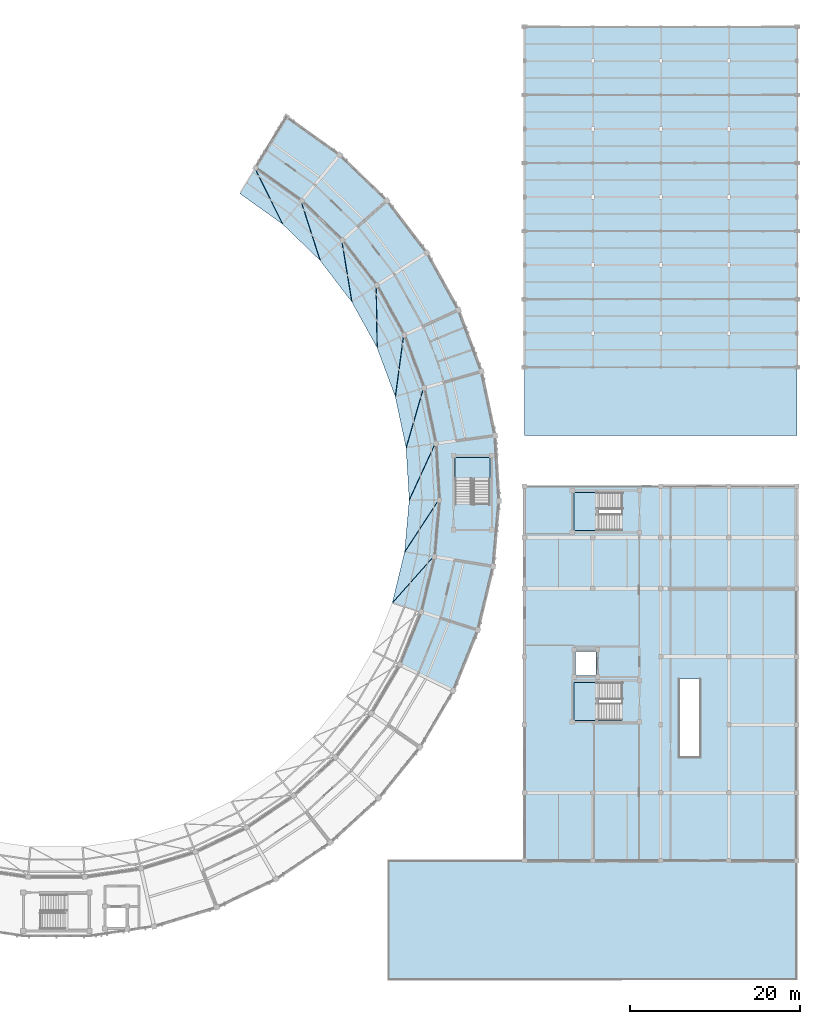
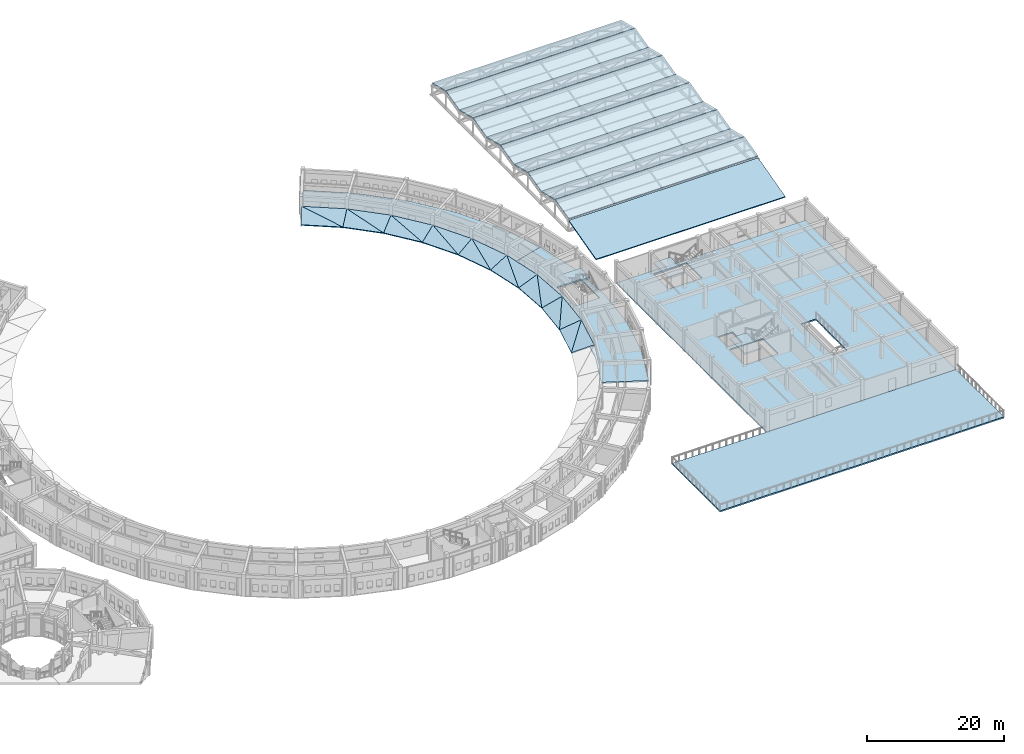
# One storey, part 71 of 112: 36 slabs, 3 elements without a shape of their own.
"""IFC4 building model written with IfcOpenShell, lengths in metres."""

from ifc_helpers import new_model, si_unit, direction, frame, origin, place, context, subcontext, project, spatial, polyline, outline, extrude, material, layer, layer_set, type_object, element, aggregate, save


model = new_model("IFC4")

# Units and contexts
model_context = context("Model", 3, precision=1e-05, world=origin(), true_north=direction((0.0, 1.0)))
body_context = subcontext(model_context, "Body", "Model", "MODEL_VIEW")
ifc_project = project(units=[si_unit("LENGTHUNIT", "METRE"), si_unit("AREAUNIT", "SQUARE_METRE"), si_unit("VOLUMEUNIT", "CUBIC_METRE"), si_unit("PLANEANGLEUNIT", "RADIAN"), si_unit("MASSUNIT", "GRAM", prefix="KILO")], contexts=[model_context])

# Site, building, storey
site_placement = place(None, origin())
site = spatial("IfcSite", under=ifc_project, at=site_placement, CompositionType="ELEMENT")
building_placement = place(site_placement, origin())
building = spatial("IfcBuilding", under=site, at=building_placement, Name="Celadon Cloister-Ring School", CompositionType="ELEMENT")
storey_placement = place(building_placement, frame((0.0, 0.0, 8.5)))
storey = spatial("IfcBuildingStorey", under=building, at=storey_placement, Name="L02", CompositionType="ELEMENT", Elevation=8.5)

# Slabs
ifc_material_1 = material(Name="Concrete C35/45", Category="concrete")
ifc_layer_1 = layer(ifc_material_1, 0.219970703125)
ifc_layer_set_1 = layer_set([ifc_layer_1], Name="Concrete C35/45")
slab_type_1 = type_object("IfcSlabType", Name="SL-FL2", PredefinedType="FLOOR", material=ifc_layer_set_1)
slab_1_placement = place(storey_placement, frame((0.0, 0.0, -0.219970703125)))
element("IfcSlab", 1, at=slab_1_placement, inside=storey, type_object=slab_type_1, Name="Ring L02 Sector 0020", PredefinedType="FLOOR", context=body_context, shape_type="SweptSolid", body=[
    extrude(outline(polyline([(127.34912109375, 39.075927734375), (129.85009765625, 45.256103515625), (131.409912109375, 51.737060546875), (131.99609375, 58.3779296875), (131.593994140625, 65.031982421875), (130.212890625, 71.554931640625), (136.93505859375, 73.508056640625), (138.531005859375, 65.970947265625), (138.9951171875, 58.281005859375), (138.318115234375, 50.60693359375), (136.514892578125, 43.117919921875), (133.625, 35.97705078125), (127.34912109375, 39.075927734375)]), holes=[polyline([(133.85009765625, 57.9150390625), (137.929931640625, 57.9150390625), (137.929931640625, 63.39990234375), (133.85009765625, 63.39990234375), (133.85009765625, 57.9150390625)])]), origin(), (0.0, 0.0, 1.0), 0.219970703125),
])
slab_2_placement = place(storey_placement, frame((0.0, 0.0, -0.219970703125)))
element("IfcSlab", 2, at=slab_2_placement, inside=storey, type_object=slab_type_1, Name="Ring L02 Sector 0021", PredefinedType="FLOOR", context=body_context, shape_type="SweptSolid", body=[
    extrude(outline(polyline([(130.212890625, 71.554931640625), (127.884033203125, 77.801025390625), (124.657958984375, 83.635009765625), (120.60498046875, 88.927978515625), (115.81494140625, 93.56494140625), (110.39208984375, 97.44189453125), (114.031005859375, 103.422119140625), (120.297119140625, 98.94091796875), (125.83203125, 93.583984375), (130.51611328125, 87.467041015625), (134.243896484375, 80.72607421875), (136.93505859375, 73.508056640625), (130.212890625, 71.554931640625)])), origin(), (0.0, 0.0, 1.0), 0.219970703125),
])
slab_3_placement = place(storey_placement, frame((0.0, 0.0, -0.219970703125)))
element("IfcSlab", 3, at=slab_3_placement, inside=storey, type_object=slab_type_1, Name="Canteen Commons Upper Slab 0066", PredefinedType="FLOOR", context=body_context, shape_type="SweptSolid", body=[
    extrude(outline(polyline([(142.0, 60.0), (174.0, 60.0), (174.0, 16.0), (142.0, 16.0), (142.0, 60.0)]), holes=[polyline([(160.155029296875, 37.39501953125), (160.155029296875, 34.760009765625), (160.199951171875, 34.760009765625), (160.199951171875, 28.199951171875), (162.60009765625, 28.199951171875), (162.60009765625, 34.760009765625), (162.64501953125, 34.760009765625), (162.64501953125, 37.39501953125), (160.155029296875, 37.39501953125)]), polyline([(147.820068359375, 32.52001953125), (153.4599609375, 32.52001953125), (153.4599609375, 36.97998046875), (147.820068359375, 36.97998046875), (147.820068359375, 32.52001953125)]), polyline([(150.419921875, 37.780029296875), (150.419921875, 40.6201171875), (147.97998046875, 40.6201171875), (147.97998046875, 37.780029296875), (150.419921875, 37.780029296875)]), polyline([(153.4599609375, 54.820068359375), (153.4599609375, 59.280029296875), (147.820068359375, 59.280029296875), (147.820068359375, 54.820068359375), (153.4599609375, 54.820068359375)])]), origin(), (0.0, 0.0, 1.0), 0.219970703125),
])

# Stair, slab
ifc_material_2 = material(Name="Concrete C35/45", Category="concrete")
stair_type_1 = type_object("IfcStairType", Name="ST-02", PredefinedType="HALF_TURN_STAIR", material=ifc_material_2)
stair_1_placement = place(storey_placement, origin())
stair_1 = element("IfcStair", 4, at=stair_1_placement, inside=storey, type_object=stair_type_1, Name="Exit Stair ST-V4A L02", PredefinedType="HALF_TURN_STAIR")
ifc_material_3 = material(Name="Concrete C35/45", Category="concrete")
ifc_layer_2 = layer(ifc_material_3, 0.280029296875)
ifc_layer_set_2 = layer_set([ifc_layer_2], Name="Concrete C35/45")
slab_type_2 = type_object("IfcSlabType", Name="SL-LD1", PredefinedType="LANDING", material=ifc_layer_set_2)
slab_4_placement = place(storey_placement, frame((0.0, 0.0, 1.719970703125)))
slab_4 = element("IfcSlab", 5, at=slab_4_placement, type_object=slab_type_2, Name="ST-02 landing 1", PredefinedType="LANDING", context=body_context, shape_type="SweptSolid", body=[
    extrude(outline(polyline([(147.820068359375, 32.52001953125), (150.669921875, 32.52001953125), (150.669921875, 36.97998046875), (147.820068359375, 36.97998046875), (147.820068359375, 32.52001953125)])), origin(), (0.0, 0.0, 1.0), 0.280029296875),
])
aggregate(stair_1, [slab_4])

ifc_material_4 = material(Name="Concrete C35/45", Category="concrete")
stair_type_2 = type_object("IfcStairType", Name="ST-04", PredefinedType="HALF_TURN_STAIR", material=ifc_material_4)
stair_2_placement = place(storey_placement, origin())
stair_2 = element("IfcStair", 6, at=stair_2_placement, inside=storey, type_object=stair_type_2, Name="Exit Stair ST-V4B L02", PredefinedType="HALF_TURN_STAIR")
ifc_material_5 = material(Name="Concrete C35/45", Category="concrete")
ifc_layer_3 = layer(ifc_material_5, 0.300048828125)
ifc_layer_set_3 = layer_set([ifc_layer_3], Name="Concrete C35/45")
slab_type_3 = type_object("IfcSlabType", Name="SL-LD2", PredefinedType="LANDING", material=ifc_layer_set_3)
slab_5_placement = place(storey_placement, frame((0.0, 0.0, 1.699951171875)))
slab_5 = element("IfcSlab", 7, at=slab_5_placement, type_object=slab_type_3, Name="ST-04 landing 1", PredefinedType="LANDING", context=body_context, shape_type="SweptSolid", body=[
    extrude(outline(polyline([(147.820068359375, 54.820068359375), (150.669921875, 54.820068359375), (150.669921875, 59.280029296875), (147.820068359375, 59.280029296875), (147.820068359375, 54.820068359375)])), origin(), (0.0, 0.0, 1.0), 0.300048828125),
])
aggregate(stair_2, [slab_5])

stair_3_placement = place(storey_placement, origin())
stair_3 = element("IfcStair", 8, at=stair_3_placement, inside=storey, type_object=stair_type_2, Name="Exit Stair ST-V1E L02", PredefinedType="HALF_TURN_STAIR")
slab_6_placement = place(storey_placement, frame((0.0, 0.0, 1.699951171875)))
slab_6 = element("IfcSlab", 9, at=slab_6_placement, type_object=slab_type_3, Name="ST-04 landing 1", PredefinedType="LANDING", context=body_context, shape_type="SweptSolid", body=[
    extrude(outline(polyline([(133.85009765625, 60.68994140625), (137.929931640625, 60.68994140625), (137.929931640625, 63.39990234375), (133.85009765625, 63.39990234375), (133.85009765625, 60.68994140625)])), origin(), (0.0, 0.0, 1.0), 0.300048828125),
])
aggregate(stair_3, [slab_6])

# Slabs
ifc_material_6 = material(Name="Concrete C35/45", Category="concrete")
ifc_layer_4 = layer(ifc_material_6, 0.179931640625)
ifc_layer_set_4 = layer_set([ifc_layer_4], Name="Concrete C35/45")
slab_type_4 = type_object("IfcSlabType", Name="SL-RF1", PredefinedType="ROOF", material=ifc_layer_set_4)
slab_7_placement = place(storey_placement, frame((126.468994140625, 46.340087890625, 1.199951171875), z_axis=(-0.251887515079, 0.060638353553, 0.965854890667), x_axis=(0.91983549037, -0.295166459356, 0.258417166472)))
element("IfcSlab", 10, at=slab_7_placement, inside=storey, type_object=slab_type_4, Name="Conical Lower Roof Inner Tri 0105", PredefinedType="ROOF", context=body_context, shape_type="SweptSolid", body=[
    extrude(outline(polyline([(0.0, 0.0), (3.540937604849466, -9.71445146547012e-17), (3.064416584728941, 6.630677872779336), (0.0, 0.0)])), origin(), (0.0, 0.0, -1.0), 0.179931640625),
])
slab_8_placement = place(storey_placement, frame((126.468994140625, 46.340087890625, 1.199951171875), z_axis=(-0.251935771975, 0.06068383008, 0.965839448131), x_axis=(0.658902237832, 0.741724584659, 0.125269635152)))
element("IfcSlab", 11, at=slab_8_placement, inside=storey, type_object=slab_type_4, Name="Conical Lower Roof Outer Tri 0106", PredefinedType="ROOF", context=body_context, shape_type="SweptSolid", body=[
    extrude(outline(polyline([(0.0, 0.0), (7.304555979477964, 1.3877787807814457e-16), (5.375567736696858, 2.9684393208160675), (0.0, 0.0)])), origin(), (0.0, 0.0, -1.0), 0.179931640625),
])
slab_9_placement = place(storey_placement, frame((127.906982421875, 52.31005859375, 1.199951171875), z_axis=(-0.258137684488, 0.022765377771, 0.965839879805), x_axis=(0.953350741991, -0.155926361953, 0.258475013092)))
element("IfcSlab", 12, at=slab_9_placement, inside=storey, type_object=slab_type_4, Name="Conical Lower Roof Inner Tri 0109", PredefinedType="ROOF", context=body_context, shape_type="SweptSolid", body=[
    extrude(outline(polyline([(0.0, 0.0), (3.5401451442214475, -1.0408340855860843e-16), (3.064369816971509, 6.630479427519028), (0.0, 0.0)])), origin(), (0.0, 0.0, -1.0), 0.179931640625),
])
slab_10_placement = place(storey_placement, frame((127.906982421875, 52.31005859375, 1.199951171875), z_axis=(-0.2581101588, 0.022746247481, 0.965847686827), x_axis=(0.542003190264, 0.830986884333, 0.125273060996)))
element("IfcSlab", 13, at=slab_10_placement, inside=storey, type_object=slab_type_4, Name="Conical Lower Roof Outer Tri 0110", PredefinedType="ROOF", context=body_context, shape_type="SweptSolid", body=[
    extrude(outline(polyline([(0.0, 0.0), (7.304356221729543, 7.494005416219807e-16), (5.375273298597154, 2.968841761713925), (0.0, 0.0)])), origin(), (0.0, 0.0, -1.0), 0.179931640625),
])
slab_11_placement = place(storey_placement, frame((128.446044921875, 58.427001953125, 1.199951171875), z_axis=(-0.258638853898, -0.015626632745, 0.965847685509), x_axis=(0.965933865971, -0.013308483447, 0.258446611198)))
element("IfcSlab", 14, at=slab_11_placement, inside=storey, type_object=slab_type_4, Name="Conical Lower Roof Inner Tri 0113", PredefinedType="ROOF", context=body_context, shape_type="SweptSolid", body=[
    extrude(outline(polyline([(0.0, 0.0), (3.5405341871556093, 1.0408340855860843e-17), (3.0650097578158215, 6.630078054179784), (0.0, 0.0)])), origin(), (0.0, 0.0, -1.0), 0.179931640625),
])
slab_12_placement = place(storey_placement, frame((128.446044921875, 58.427001953125, 1.199951171875), z_axis=(-0.258657304982, -0.015617511325, 0.965842891944), x_axis=(0.413326306602, 0.901924394092, 0.125274704605)))
element("IfcSlab", 15, at=slab_12_placement, inside=storey, type_object=slab_type_4, Name="Conical Lower Roof Outer Tri 0114", PredefinedType="ROOF", context=body_context, shape_type="SweptSolid", body=[
    extrude(outline(polyline([(0.0, 0.0), (7.30426038829549, -8.326672684688674e-17), (5.375711671396882, 2.9688674698398323), (0.0, 0.0)])), origin(), (0.0, 0.0, -1.0), 0.179931640625),
])
slab_13_placement = place(storey_placement, frame((128.075927734375, 64.556884765625, 1.199951171875), z_axis=(-0.253512174065, -0.053687058374, 0.965841227824), x_axis=(0.957318289794, 0.129371064087, 0.258466283687)))
element("IfcSlab", 16, at=slab_13_placement, inside=storey, type_object=slab_type_4, Name="Conical Lower Roof Inner Tri 0117", PredefinedType="ROOF", context=body_context, shape_type="SweptSolid", body=[
    extrude(outline(polyline([(0.0, 0.0), (3.540264708595169, 3.469446951953614e-17), (3.063171095644359, 6.630258202493813), (0.0, 0.0)])), origin(), (0.0, 0.0, -1.0), 0.179931640625),
])
slab_14_placement = place(storey_placement, frame((128.075927734375, 64.556884765625, 1.199951171875), z_axis=(-0.253525264, -0.053682854113, 0.965838025596), x_axis=(0.275473520803, 0.95310963459, 0.125285129956)))
element("IfcSlab", 17, at=slab_14_placement, inside=storey, type_object=slab_type_4, Name="Conical Lower Roof Outer Tri 0118", PredefinedType="ROOF", context=body_context, shape_type="SweptSolid", body=[
    extrude(outline(polyline([(0.0, 0.0), (7.303652578876377, -1.6653345369377348e-16), (5.37501111223211, 2.968531799835615), (0.0, 0.0)])), origin(), (0.0, 0.0, -1.0), 0.179931640625),
])
slab_15_placement = place(storey_placement, frame((126.803955078125, 70.56396484375, 1.199951171875), z_axis=(-0.242825720551, -0.090510018125, 0.965838291878), x_axis=(0.927656564451, 0.269517645816, 0.258483146499)))
element("IfcSlab", 18, at=slab_15_placement, inside=storey, type_object=slab_type_4, Name="Conical Lower Roof Inner Tri 0121", PredefinedType="ROOF", context=body_context, shape_type="SweptSolid", body=[
    extrude(outline(polyline([(0.0, 0.0), (3.54003375033276, -2.6020852139652106e-16), (3.0650482248021476, 6.630650680631953), (0.0, 0.0)])), origin(), (0.0, 0.0, -1.0), 0.179931640625),
])
slab_16_placement = place(storey_placement, frame((126.803955078125, 70.56396484375, 1.199951171875), z_axis=(-0.242807053964, -0.090513079729, 0.965842697826), x_axis=(0.131715952485, 0.983340967779, 0.125265513807)))
element("IfcSlab", 19, at=slab_16_placement, inside=storey, type_object=slab_type_4, Name="Conical Lower Roof Outer Tri 0122", PredefinedType="ROOF", context=body_context, shape_type="SweptSolid", body=[
    extrude(outline(polyline([(0.0, 0.0), (7.30479630577936, -1.942890293094024e-16), (5.375758523202683, 2.9685982900331136), (0.0, 0.0)])), origin(), (0.0, 0.0, -1.0), 0.179931640625),
])
slab_17_placement = place(storey_placement, frame((124.658935546875, 76.318115234375, 1.199951171875), z_axis=(-0.226758830053, -0.125409263141, 0.965843128935), x_axis=(0.877658097948, 0.40362480139, 0.258463310372)))
element("IfcSlab", 20, at=slab_17_placement, inside=storey, type_object=slab_type_4, Name="Conical Lower Roof Inner Tri 0125", PredefinedType="ROOF", context=body_context, shape_type="SweptSolid", body=[
    extrude(outline(polyline([(0.0, 0.0), (3.5403054351561054, -6.245004513516506e-17), (3.064686236243778, 6.63018862940759), (0.0, 0.0)])), origin(), (0.0, 0.0, -1.0), 0.179931640625),
])
slab_18_placement = place(storey_placement, frame((124.658935546875, 76.318115234375, 1.199951171875), z_axis=(-0.226762678361, -0.125409208291, 0.965842232551), x_axis=(-0.015041059265, 0.992007995378, 0.125275311388)))
element("IfcSlab", 21, at=slab_18_placement, inside=storey, type_object=slab_type_4, Name="Conical Lower Roof Outer Tri 0126", PredefinedType="ROOF", context=body_context, shape_type="SweptSolid", body=[
    extrude(outline(polyline([(0.0, 0.0), (7.304225009413917, 5.551115123125783e-17), (5.375532910323441, 2.968750764501649), (0.0, 0.0)])), origin(), (0.0, 0.0, -1.0), 0.179931640625),
])
slab_19_placement = place(storey_placement, frame((121.68701171875, 81.69189453125, 1.199951171875), z_axis=(-0.205752922482, -0.157529135155, 0.965841760573), x_axis=(0.808435739981, 0.528796831372, 0.258467726132)))
element("IfcSlab", 22, at=slab_19_placement, inside=storey, type_object=slab_type_4, Name="Conical Lower Roof Inner Tri 0129", PredefinedType="ROOF", context=body_context, shape_type="SweptSolid", body=[
    extrude(outline(polyline([(0.0, 0.0), (3.5402449512460508, -6.938893903907228e-18), (3.0643734496020407, 6.630342500318658), (0.0, 0.0)])), origin(), (0.0, 0.0, -1.0), 0.179931640625),
])
slab_20_placement = place(storey_placement, frame((121.68701171875, 81.69189453125, 1.199951171875), z_axis=(-0.20571955122, -0.157524636326, 0.965849602783), x_axis=(-0.161407091654, 0.978904430165, 0.125275166602)))
element("IfcSlab", 23, at=slab_20_placement, inside=storey, type_object=slab_type_4, Name="Conical Lower Roof Outer Tri 0130", PredefinedType="ROOF", context=body_context, shape_type="SweptSolid", body=[
    extrude(outline(polyline([(0.0, 0.0), (7.304233451236193, 2.7755575615628914e-17), (5.374677268780246, 2.9686844714606018), (0.0, 0.0)])), origin(), (0.0, 0.0, -1.0), 0.179931640625),
])
slab_21_placement = place(storey_placement, frame((117.9541015625, 86.56689453125, 1.199951171875), z_axis=(-0.180184727376, -0.186188981864, 0.965850468268), x_axis=(0.72132171516, 0.642576910771, 0.258437414054)))
element("IfcSlab", 24, at=slab_21_placement, inside=storey, type_object=slab_type_4, Name="Conical Lower Roof Inner Tri 0133", PredefinedType="ROOF", context=body_context, shape_type="SweptSolid", body=[
    extrude(outline(polyline([(0.0, 0.0), (3.5406601859462983, 1.1449174941446927e-16), (3.065497681509146, 6.630796609813564), (0.0, 0.0)])), origin(), (0.0, 0.0, -1.0), 0.179931640625),
])
slab_22_placement = place(storey_placement, frame((117.9541015625, 86.56689453125, 1.199951171875), z_axis=(-0.180197874046, -0.186192795887, 0.965847280345), x_axis=(-0.304327010803, 0.94429603451, 0.1252600084)))
element("IfcSlab", 25, at=slab_22_placement, inside=storey, type_object=slab_type_4, Name="Conical Lower Roof Outer Tri 0134", PredefinedType="ROOF", context=body_context, shape_type="SweptSolid", body=[
    extrude(outline(polyline([(0.0, 0.0), (7.30511736497457, -5.828670879282072e-16), (5.376105926512918, 2.968875240137364), (0.0, 0.0)])), origin(), (0.0, 0.0, -1.0), 0.179931640625),
])
slab_23_placement = place(storey_placement, frame((113.541015625, 90.837890625, 1.199951171875), z_axis=(-0.150704745223, -0.210777265074, 0.965847308996), x_axis=(0.618536078824, 0.742036426335, 0.258447405065)))
element("IfcSlab", 26, at=slab_23_placement, inside=storey, type_object=slab_type_4, Name="Conical Lower Roof Inner Tri 0137", PredefinedType="ROOF", context=body_context, shape_type="SweptSolid", body=[
    extrude(outline(polyline([(0.0, 0.0), (3.5405233117742054, 1.249000902703301e-16), (3.06479779256024, 6.629844901306048), (0.0, 0.0)])), origin(), (0.0, 0.0, -1.0), 0.179931640625),
])
slab_24_placement = place(storey_placement, frame((113.541015625, 90.837890625, 1.199951171875), z_axis=(-0.150738449341, -0.210792746464, 0.965838670756), x_axis=(-0.440451631547, 0.888992304213, 0.125279859986)))
element("IfcSlab", 27, at=slab_24_placement, inside=storey, type_object=slab_type_4, Name="Conical Lower Roof Outer Tri 0138", PredefinedType="ROOF", context=body_context, shape_type="SweptSolid", body=[
    extrude(outline(polyline([(0.0, 0.0), (7.303959811270591, 0.0), (5.375607125093471, 2.9687339453610173), (0.0, 0.0)])), origin(), (0.0, 0.0, -1.0), 0.179931640625),
])
ifc_material_7 = material(Name="Concrete C35/45", Category="concrete")
ifc_layer_5 = layer(ifc_material_7, 0.199951171875)
ifc_layer_set_5 = layer_set([ifc_layer_5], Name="Concrete C35/45")
slab_type_5 = type_object("IfcSlabType", Name="SL-RF2", PredefinedType="ROOF", material=ifc_layer_set_5)
for number, where, z_axis, x_axis, name in (
    (28, (142.0, 74.0, 3.0), (0.0, -0.242535625036, 0.970142500145), (1.0, 0.0, 0.0), "Sports Folded South Facet 0205"),
    (29, (142.0, 78.0400390625, 3.989990234375), (0.0, 0.242535625036, 0.970142500145), (1.0, 0.0, 0.0), "Sports Folded North Facet 0206"),
    (30, (142.0, 82.0, 3.0), (0.0, -0.242535625036, 0.970142500145), (1.0, 0.0, 0.0), "Sports Folded South Facet 0207"),
    (31, (142.0, 86.0400390625, 3.989990234375), (0.0, 0.242535625036, 0.970142500145), (1.0, 0.0, 0.0), "Sports Folded North Facet 0208"),
    (32, (142.0, 90.0, 3.0), (0.0, -0.242535625036, 0.970142500145), (1.0, 0.0, 0.0), "Sports Folded South Facet 0209"),
    (33, (142.0, 94.0400390625, 3.989990234375), (0.0, 0.242535625036, 0.970142500145), (1.0, 0.0, 0.0), "Sports Folded North Facet 0210"),
    (34, (142.0, 98.0, 3.0), (0.0, -0.242535625036, 0.970142500145), (1.0, 0.0, 0.0), "Sports Folded South Facet 0211"),
    (35, (142.0, 102.0400390625, 3.989990234375), (0.0, 0.242535625036, 0.970142500145), (1.0, 0.0, 0.0), "Sports Folded North Facet 0212"),
    (36, (142.0, 106.0, 3.0), (0.0, -0.242535625036, 0.970142500145), (1.0, 0.0, 0.0), "Sports Folded South Facet 0213"),
    (37, (142.0, 110.0400390625, 3.989990234375), (0.0, 0.242535625036, 0.970142500145), (1.0, 0.0, 0.0), "Sports Folded North Facet 0214"),
):
    element("IfcSlab", number, at=place(storey_placement, frame(where, z_axis=z_axis, x_axis=x_axis)), inside=storey, type_object=slab_type_5, Name=name, PredefinedType="ROOF", context=body_context, shape_type="SweptSolid", body=[
        extrude(outline(polyline([(0.0, 0.0), (32.0, 0.0), (32.0, 4.081834304658108), (0.0, 4.081834304658108), (0.0, 0.0)])), origin(), (0.0, 0.0, -1.0), 0.199951171875),
    ])
slab_25_placement = place(storey_placement, frame((142.0, 66.0, 0.550048828125), z_axis=(0.0, -0.253881559468, 0.967235314575), x_axis=(1.0, 0.0, 0.0)))
element("IfcSlab", 38, at=slab_25_placement, inside=storey, type_object=slab_type_5, Name="Sports South Support Roof 0215", PredefinedType="ROOF", context=body_context, shape_type="SweptSolid", body=[
    extrude(outline(polyline([(0.0, 0.0), (32.0, 0.0), (32.0, 8.270996601805773), (0.0, 8.270996601805773), (0.0, 0.0)])), origin(), (0.0, 0.0, -1.0), 0.199951171875),
])
ifc_material_8 = material(Name="Concrete C35/45", Category="concrete")
ifc_layer_6 = layer(ifc_material_8, 0.239990234375)
ifc_layer_set_6 = layer_set([ifc_layer_6], Name="Concrete C35/45")
slab_type_6 = type_object("IfcSlabType", Name="SL-TR2", PredefinedType="FLOOR", material=ifc_layer_set_6)
slab_26_placement = place(storey_placement, frame((0.0, 0.0, -0.239990234375)))
element("IfcSlab", 39, at=slab_26_placement, inside=storey, type_object=slab_type_6, Name="Rooftop Play Deck 0067", PredefinedType="FLOOR", context=body_context, shape_type="SweptSolid", body=[
    extrude(outline(polyline([(126.0, 2.0), (174.0, 2.0), (174.0, 16.0), (126.0, 16.0), (126.0, 2.0)])), origin(), (0.0, 0.0, 1.0), 0.239990234375),
])

save(model, "model.ifc")
